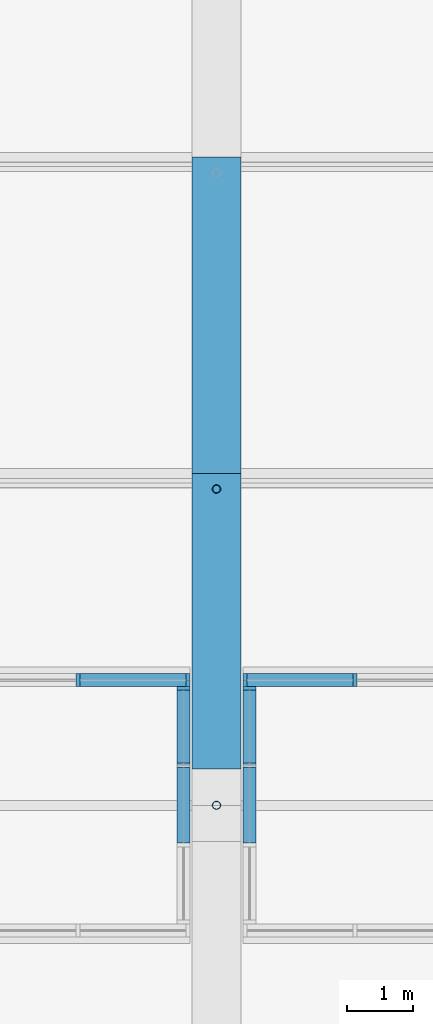
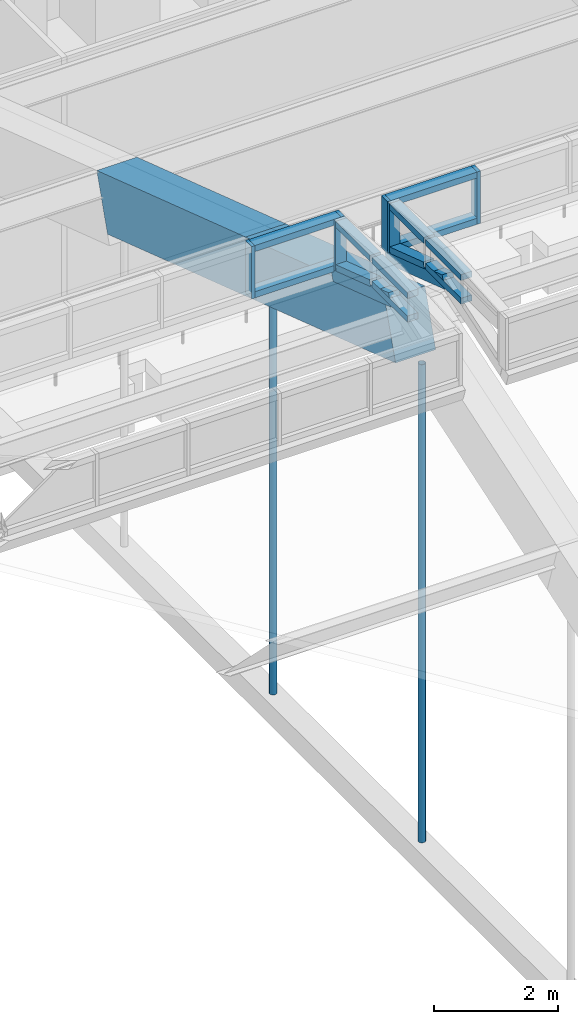
# One storey, part 60 of 149: 22 members, 2 beams, 4 elements without a shape of their own.
"""IFC4 building model written with IfcOpenShell, lengths in metres."""

from ifc_helpers import new_model, si_unit, direction, frame, origin, origin_2d, place, context, subcontext, project, spatial, rectangle, hollow_circle, extrude, material, material_profile, profile_set, type_object, element, aggregate, save


model = new_model("IFC4")

# Units and contexts
model_context = context("Model", 3, precision=1e-05, world=origin(), true_north=direction((0.0, 1.0)))
body_context = subcontext(model_context, "Body", "Model", "MODEL_VIEW")
ifc_project = project(units=[si_unit("LENGTHUNIT", "METRE"), si_unit("AREAUNIT", "SQUARE_METRE"), si_unit("VOLUMEUNIT", "CUBIC_METRE"), si_unit("PLANEANGLEUNIT", "RADIAN"), si_unit("MASSUNIT", "GRAM", prefix="KILO")], contexts=[model_context])

# Site, building, storey
site_placement = place(None, origin())
site = spatial("IfcSite", under=ifc_project, at=site_placement, CompositionType="ELEMENT")
building_placement = place(site_placement, origin())
building = spatial("IfcBuilding", under=site, at=building_placement, Name="Alderwick Market Hall", CompositionType="ELEMENT")
storey_placement = place(building_placement, frame((0.0, 0.0, 9.60009765625)))
storey = spatial("IfcBuildingStorey", under=building, at=storey_placement, Name="L01", CompositionType="ELEMENT", Elevation=9.60009765625)

# Beams
ifc_material_1 = material(Name="Concrete 5000 psi (f'c 35 MPa)", Category="concrete")
ifc_material_profile_1 = material_profile(ifc_material_1, rectangle(XDim=0.75, YDim=1.10009765625, at=origin_2d()), Name="RC 750x1100")
ifc_profile_set_1 = profile_set([ifc_material_profile_1], Name="Concrete 5000 psi (f'c 35 MPa)")
beam_type = type_object("IfcBeamType", Name="R Arch Rib Crown 750x1100", PredefinedType="BEAM", material=ifc_profile_set_1)
beam_1_placement = place(storey_placement, frame((108.0, 79.573974609375, 16.2861328125), z_axis=(0.0, 0.948672979153, -0.316258721025), x_axis=(-1.0, 0.0, 0.0)))
element("IfcBeam", 1, at=beam_1_placement, inside=storey, type_object=beam_type, Name="Arch rib 5 chord 7", PredefinedType="BEAM", context=body_context, shape_type="SweptSolid", body=[
    extrude(rectangle(XDim=0.75, YDim=1.10009765625, at=origin_2d()), origin(), (0.0, 0.0, 1.0), 4.732177734375),
])
beam_2_placement = place(storey_placement, frame((108.0, 84.063232421875, 14.78955078125), z_axis=(0.0, 0.948692948114, -0.316198814353), x_axis=(-1.0, 0.0, 0.0)))
element("IfcBeam", 2, at=beam_2_placement, inside=storey, type_object=beam_type, Name="Arch rib 5 chord 8", PredefinedType="BEAM", context=body_context, shape_type="SweptSolid", body=[
    extrude(rectangle(XDim=0.75, YDim=1.10009765625, at=origin_2d()), origin(), (0.0, 0.0, 1.0), 5.0595703125),
])

# Curtain wall, members
ifc_material_2 = material(Name="Aluminium", Category="aluminium")
curtain_wall_type = type_object("IfcCurtainWallType", Name="R Curtain Wall Frame", PredefinedType="NOTDEFINED", material=ifc_material_2)
curtain_wall_1_placement = place(storey_placement, origin())
curtain_wall_1 = element("IfcCurtainWall", 3, at=curtain_wall_1_placement, inside=storey, type_object=curtain_wall_type, Name="Curtain wall LCW N4", PredefinedType="NOTDEFINED")
ifc_material_profile_2 = material_profile(ifc_material_2, rectangle(XDim=0.199951171875, YDim=0.06005859375, at=origin_2d()), Name="AL 60x200")
ifc_profile_set_2 = profile_set([ifc_material_profile_2], Name="Aluminium")
member_type_1 = type_object("IfcMemberType", Name="R CW Mullion 60x200", PredefinedType="MULLION", material=ifc_profile_set_2)
member_1_placement = place(storey_placement, frame((105.89990234375, 81.10009765625, 16.670166015625), z_axis=(0.0, 0.0, 1.0), x_axis=(0.0, 1.0, 0.0)))
member_1 = element("IfcMember", 4, at=member_1_placement, type_object=member_type_1, Name="LCW N4 mullion 8", PredefinedType="MULLION", context=body_context, shape_type="SweptSolid", body=[
    extrude(rectangle(XDim=0.199951171875, YDim=0.06005859375, at=origin_2d()), origin(), (0.0, 0.0, 1.0), 1.02978515625),
])
member_2_placement = place(storey_placement, frame((107.570068359375, 81.10009765625, 16.670166015625), z_axis=(0.0, 0.0, 1.0), x_axis=(0.0, 1.0, 0.0)))
member_2 = element("IfcMember", 5, at=member_2_placement, type_object=member_type_1, Name="LCW N4 mullion 9", PredefinedType="MULLION", context=body_context, shape_type="SweptSolid", body=[
    extrude(rectangle(XDim=0.199951171875, YDim=0.06005859375, at=origin_2d()), origin(), (0.0, 0.0, 1.0), 1.02978515625),
])

# Curtain wall, member
curtain_wall_2_placement = place(storey_placement, origin())
curtain_wall_2 = element("IfcCurtainWall", 6, at=curtain_wall_2_placement, inside=storey, type_object=curtain_wall_type, Name="Curtain wall LCW E4", PredefinedType="NOTDEFINED")
member_3_placement = place(storey_placement, frame((107.5, 80.969970703125, 16.713623046875), z_axis=(0.0, 0.0, 1.0), x_axis=(1.0, 0.0, 0.0)))
member_3 = element("IfcMember", 7, at=member_3_placement, type_object=member_type_1, Name="LCW E4 mullion 4", PredefinedType="MULLION", context=body_context, shape_type="SweptSolid", body=[
    extrude(rectangle(XDim=0.199951171875, YDim=0.06005859375, at=origin_2d()), origin(), (0.0, 0.0, 1.0), 0.986328125),
])

# Curtain wall, members
curtain_wall_3_placement = place(storey_placement, origin())
curtain_wall_3 = element("IfcCurtainWall", 8, at=curtain_wall_3_placement, inside=storey, type_object=curtain_wall_type, Name="Curtain wall LCW N5", PredefinedType="NOTDEFINED")
member_4_placement = place(storey_placement, frame((108.429931640625, 81.10009765625, 16.670166015625), z_axis=(0.0, 0.0, 1.0), x_axis=(0.0, 1.0, 0.0)))
member_4 = element("IfcMember", 9, at=member_4_placement, type_object=member_type_1, Name="LCW N5 mullion 1", PredefinedType="MULLION", context=body_context, shape_type="SweptSolid", body=[
    extrude(rectangle(XDim=0.199951171875, YDim=0.06005859375, at=origin_2d()), origin(), (0.0, 0.0, 1.0), 1.02978515625),
])
member_5_placement = place(storey_placement, frame((110.10009765625, 81.10009765625, 16.670166015625), z_axis=(0.0, 0.0, 1.0), x_axis=(0.0, 1.0, 0.0)))
member_5 = element("IfcMember", 10, at=member_5_placement, type_object=member_type_1, Name="LCW N5 mullion 2", PredefinedType="MULLION", context=body_context, shape_type="SweptSolid", body=[
    extrude(rectangle(XDim=0.199951171875, YDim=0.06005859375, at=origin_2d()), origin(), (0.0, 0.0, 1.0), 1.02978515625),
])

# Curtain wall, member
curtain_wall_4_placement = place(storey_placement, origin())
curtain_wall_4 = element("IfcCurtainWall", 11, at=curtain_wall_4_placement, inside=storey, type_object=curtain_wall_type, Name="Curtain wall LCW W5", PredefinedType="NOTDEFINED")
member_6_placement = place(storey_placement, frame((108.5, 80.969970703125, 16.713623046875), z_axis=(0.0, 0.0, 1.0), x_axis=(1.0, 0.0, 0.0)))
member_6 = element("IfcMember", 12, at=member_6_placement, type_object=member_type_1, Name="LCW W5 mullion 4", PredefinedType="MULLION", context=body_context, shape_type="SweptSolid", body=[
    extrude(rectangle(XDim=0.199951171875, YDim=0.06005859375, at=origin_2d()), origin(), (0.0, 0.0, 1.0), 0.986328125),
])

# Member
ifc_material_profile_3 = material_profile(ifc_material_2, rectangle(XDim=0.199951171875, YDim=0.1201171875, at=origin_2d()), Name="AL 120x200")
ifc_profile_set_3 = profile_set([ifc_material_profile_3], Name="Aluminium")
member_type_2 = type_object("IfcMemberType", Name="R CW Transom 120x200", PredefinedType="USERDEFINED", material=ifc_profile_set_3)
member_7_placement = place(storey_placement, frame((105.929931640625, 81.10009765625, 16.730224609375), z_axis=(1.0, 0.0, 0.0), x_axis=(0.0, 1.0, 0.0)))
member_7 = element("IfcMember", 13, at=member_7_placement, type_object=member_type_2, Name="LCW N4 sill transom 8", ObjectType="TRANSOM", PredefinedType="USERDEFINED", context=body_context, shape_type="SweptSolid", body=[
    extrude(rectangle(XDim=0.199951171875, YDim=0.1201171875, at=origin_2d()), origin(), (0.0, 0.0, 1.0), 1.610107421875),
])

member_8_placement = place(storey_placement, frame((105.929931640625, 81.10009765625, 17.639892578125), z_axis=(1.0, 0.0, 0.0), x_axis=(0.0, 1.0, 0.0)))
member_8 = element("IfcMember", 14, at=member_8_placement, type_object=member_type_2, Name="LCW N4 head transom 8", ObjectType="TRANSOM", PredefinedType="USERDEFINED", context=body_context, shape_type="SweptSolid", body=[
    extrude(rectangle(XDim=0.199951171875, YDim=0.1201171875, at=origin_2d()), origin(), (0.0, 0.0, 1.0), 1.610107421875),
])

aggregate(curtain_wall_1, [member_1, member_2, member_7, member_8])

member_9_placement = place(storey_placement, frame((107.5, 78.6298828125, 17.173583984375), z_axis=(0.0, 1.0, 0.0), x_axis=(-1.0, 0.0, 0.0)))
member_9 = element("IfcMember", 15, at=member_9_placement, type_object=member_type_2, Name="LCW E4 sill transom 2", ObjectType="TRANSOM", PredefinedType="USERDEFINED", context=body_context, shape_type="SweptSolid", body=[
    extrude(rectangle(XDim=0.199951171875, YDim=0.1201171875, at=origin_2d()), origin(), (0.0, 0.0, 1.0), 1.14013671875),
])

member_10_placement = place(storey_placement, frame((107.5, 78.6298828125, 17.639892578125), z_axis=(0.0, 1.0, 0.0), x_axis=(-1.0, 0.0, 0.0)))
member_10 = element("IfcMember", 16, at=member_10_placement, type_object=member_type_2, Name="LCW E4 head transom 2", ObjectType="TRANSOM", PredefinedType="USERDEFINED", context=body_context, shape_type="SweptSolid", body=[
    extrude(rectangle(XDim=0.199951171875, YDim=0.1201171875, at=origin_2d()), origin(), (0.0, 0.0, 1.0), 1.14013671875),
])

member_11_placement = place(storey_placement, frame((107.5, 79.830078125, 17.153564453125), z_axis=(0.0, 0.948641554568, -0.316352968923), x_axis=(-1.0, 0.0, 0.0)))
member_11 = element("IfcMember", 17, at=member_11_placement, type_object=member_type_2, Name="LCW E4 sill transom 3", ObjectType="TRANSOM", PredefinedType="USERDEFINED", context=body_context, shape_type="SweptSolid", body=[
    extrude(rectangle(XDim=0.199951171875, YDim=0.1201171875, at=origin_2d()), origin(), (0.0, 0.0, 1.0), 1.169921875),
])

member_12_placement = place(storey_placement, frame((107.5, 79.830078125, 17.639892578125), z_axis=(0.0, 1.0, 0.0), x_axis=(-1.0, 0.0, 0.0)))
member_12 = element("IfcMember", 18, at=member_12_placement, type_object=member_type_2, Name="LCW E4 head transom 3", ObjectType="TRANSOM", PredefinedType="USERDEFINED", context=body_context, shape_type="SweptSolid", body=[
    extrude(rectangle(XDim=0.199951171875, YDim=0.1201171875, at=origin_2d()), origin(), (0.0, 0.0, 1.0), 1.10986328125),
])

member_13_placement = place(storey_placement, frame((108.4599609375, 81.10009765625, 16.730224609375), z_axis=(1.0, 0.0, 0.0), x_axis=(0.0, 1.0, 0.0)))
member_13 = element("IfcMember", 19, at=member_13_placement, type_object=member_type_2, Name="LCW N5 sill transom 1", ObjectType="TRANSOM", PredefinedType="USERDEFINED", context=body_context, shape_type="SweptSolid", body=[
    extrude(rectangle(XDim=0.199951171875, YDim=0.1201171875, at=origin_2d()), origin(), (0.0, 0.0, 1.0), 1.610107421875),
])

member_14_placement = place(storey_placement, frame((108.4599609375, 81.10009765625, 17.639892578125), z_axis=(1.0, 0.0, 0.0), x_axis=(0.0, 1.0, 0.0)))
member_14 = element("IfcMember", 20, at=member_14_placement, type_object=member_type_2, Name="LCW N5 head transom 1", ObjectType="TRANSOM", PredefinedType="USERDEFINED", context=body_context, shape_type="SweptSolid", body=[
    extrude(rectangle(XDim=0.199951171875, YDim=0.1201171875, at=origin_2d()), origin(), (0.0, 0.0, 1.0), 1.610107421875),
])

aggregate(curtain_wall_3, [member_4, member_5, member_13, member_14])

member_15_placement = place(storey_placement, frame((108.5, 78.6298828125, 17.173583984375), z_axis=(0.0, 1.0, 0.0), x_axis=(-1.0, 0.0, 0.0)))
member_15 = element("IfcMember", 21, at=member_15_placement, type_object=member_type_2, Name="LCW W5 sill transom 2", ObjectType="TRANSOM", PredefinedType="USERDEFINED", context=body_context, shape_type="SweptSolid", body=[
    extrude(rectangle(XDim=0.199951171875, YDim=0.1201171875, at=origin_2d()), origin(), (0.0, 0.0, 1.0), 1.14013671875),
])

member_16_placement = place(storey_placement, frame((108.5, 78.6298828125, 17.639892578125), z_axis=(0.0, 1.0, 0.0), x_axis=(-1.0, 0.0, 0.0)))
member_16 = element("IfcMember", 22, at=member_16_placement, type_object=member_type_2, Name="LCW W5 head transom 2", ObjectType="TRANSOM", PredefinedType="USERDEFINED", context=body_context, shape_type="SweptSolid", body=[
    extrude(rectangle(XDim=0.199951171875, YDim=0.1201171875, at=origin_2d()), origin(), (0.0, 0.0, 1.0), 1.14013671875),
])

member_17_placement = place(storey_placement, frame((108.5, 79.830078125, 17.153564453125), z_axis=(0.0, 0.948641554568, -0.316352968923), x_axis=(-1.0, 0.0, 0.0)))
member_17 = element("IfcMember", 23, at=member_17_placement, type_object=member_type_2, Name="LCW W5 sill transom 3", ObjectType="TRANSOM", PredefinedType="USERDEFINED", context=body_context, shape_type="SweptSolid", body=[
    extrude(rectangle(XDim=0.199951171875, YDim=0.1201171875, at=origin_2d()), origin(), (0.0, 0.0, 1.0), 1.169921875),
])

member_18_placement = place(storey_placement, frame((108.5, 79.830078125, 17.639892578125), z_axis=(0.0, 1.0, 0.0), x_axis=(-1.0, 0.0, 0.0)))
member_18 = element("IfcMember", 24, at=member_18_placement, type_object=member_type_2, Name="LCW W5 head transom 3", ObjectType="TRANSOM", PredefinedType="USERDEFINED", context=body_context, shape_type="SweptSolid", body=[
    extrude(rectangle(XDim=0.199951171875, YDim=0.1201171875, at=origin_2d()), origin(), (0.0, 0.0, 1.0), 1.10986328125),
])

# Members
ifc_material_3 = material(Name="Steel ASTM A500 Grade C", Category="steel")
ifc_material_profile_4 = material_profile(ifc_material_3, hollow_circle(Radius=0.0634765625, WallThickness=0.005859375, at=origin_2d()), Name="HSS5.000x0.250")
ifc_profile_set_4 = profile_set([ifc_material_profile_4], Name="Steel ASTM A500 Grade C")
member_type_3 = type_object("IfcMemberType", Name="R Hanger HSS5.000x0.250", PredefinedType="POST", material=ifc_profile_set_4)
member_19_placement = place(storey_placement, frame((108.0, 79.199951171875, 6.35302734375), z_axis=(0.0, 0.0, 1.0), x_axis=(1.0, 0.0, 0.0)))
element("IfcMember", 25, at=member_19_placement, inside=storey, type_object=member_type_3, Name="Arch hanger 5.6", PredefinedType="POST", context=body_context, shape_type="SweptSolid", body=[
    extrude(hollow_circle(Radius=0.0634765625, WallThickness=0.005859375, at=origin_2d()), origin(), (0.0, 0.0, 1.0), 9.411376953125),
])
member_20_placement = place(storey_placement, frame((108.0, 84.0, 6.35302734375), z_axis=(0.0, 0.0, 1.0), x_axis=(1.0, 0.0, 0.0)))
element("IfcMember", 26, at=member_20_placement, inside=storey, type_object=member_type_3, Name="Arch hanger 5.7", PredefinedType="POST", context=body_context, shape_type="SweptSolid", body=[
    extrude(hollow_circle(Radius=0.0634765625, WallThickness=0.005859375, at=origin_2d()), origin(), (0.0, 0.0, 1.0), 7.856689453125),
])

# Member
ifc_material_4 = material(Name="Steel ASTM A572 Grade 50", Category="steel")
ifc_material_profile_5 = material_profile(ifc_material_4, rectangle(XDim=0.199951171875, YDim=0.25, at=origin_2d()), Name="Steel plate curb 200x250")
ifc_profile_set_5 = profile_set([ifc_material_profile_5], Name="Steel ASTM A572 Grade 50")
member_type_4 = type_object("IfcMemberType", Name="R Lantern Curb 200x250", PredefinedType="MEMBER", material=ifc_profile_set_5)
member_21_placement = place(storey_placement, frame((107.5, 79.199951171875, 17.20654296875), z_axis=(0.0, 0.948695716428, -0.316190508447), x_axis=(-1.0, 0.0, 0.0)))
member_21 = element("IfcMember", 27, at=member_21_placement, type_object=member_type_4, Name="Lantern end curb E4.2", PredefinedType="MEMBER", context=body_context, shape_type="SweptSolid", body=[
    extrude(rectangle(XDim=0.199951171875, YDim=0.25, at=origin_2d()), origin(), (0.0, 0.0, 1.0), 1.9658203125),
])

aggregate(curtain_wall_2, [member_3, member_9, member_10, member_11, member_12, member_21])

member_22_placement = place(storey_placement, frame((108.5, 79.199951171875, 17.20654296875), z_axis=(0.0, 0.948695716428, -0.316190508447), x_axis=(-1.0, 0.0, 0.0)))
member_22 = element("IfcMember", 28, at=member_22_placement, type_object=member_type_4, Name="Lantern end curb W5.2", PredefinedType="MEMBER", context=body_context, shape_type="SweptSolid", body=[
    extrude(rectangle(XDim=0.199951171875, YDim=0.25, at=origin_2d()), origin(), (0.0, 0.0, 1.0), 1.9658203125),
])

aggregate(curtain_wall_4, [member_6, member_15, member_16, member_17, member_18, member_22])

save(model, "model.ifc")
